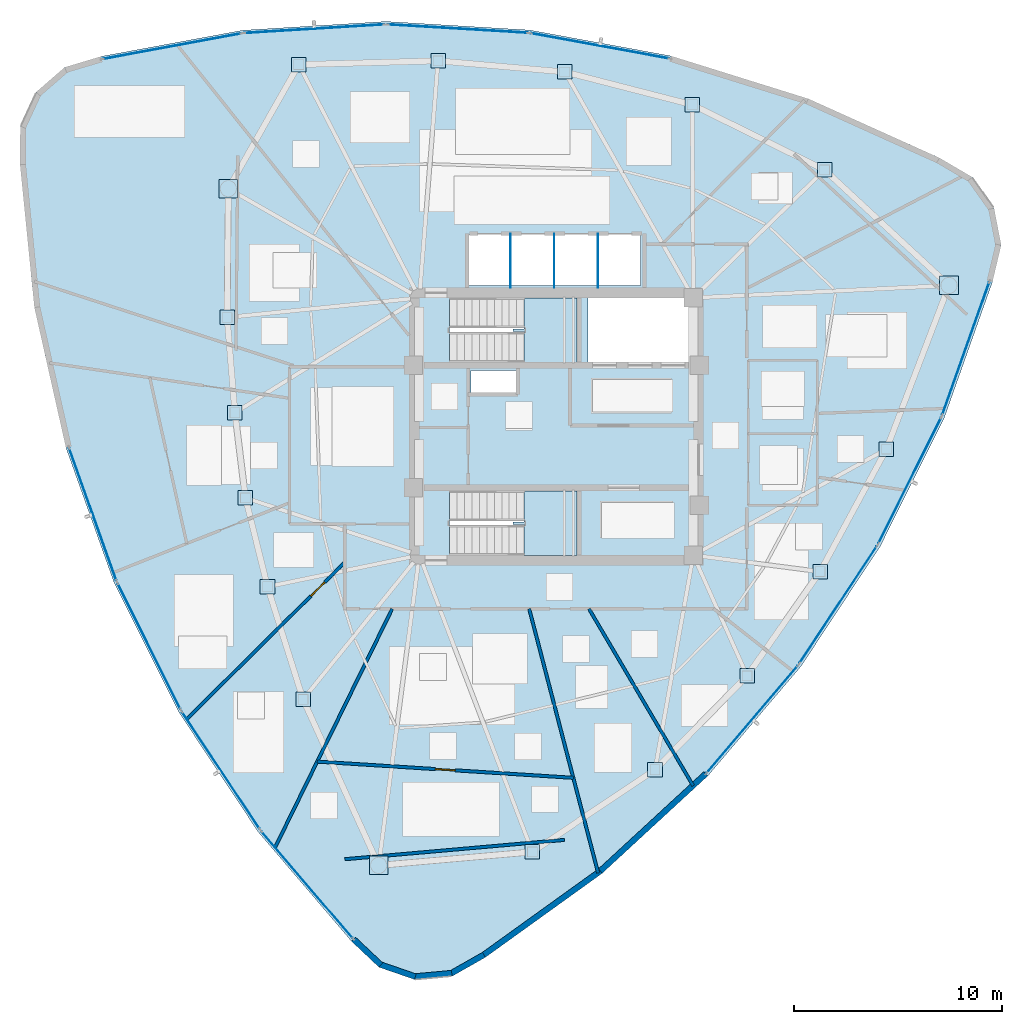
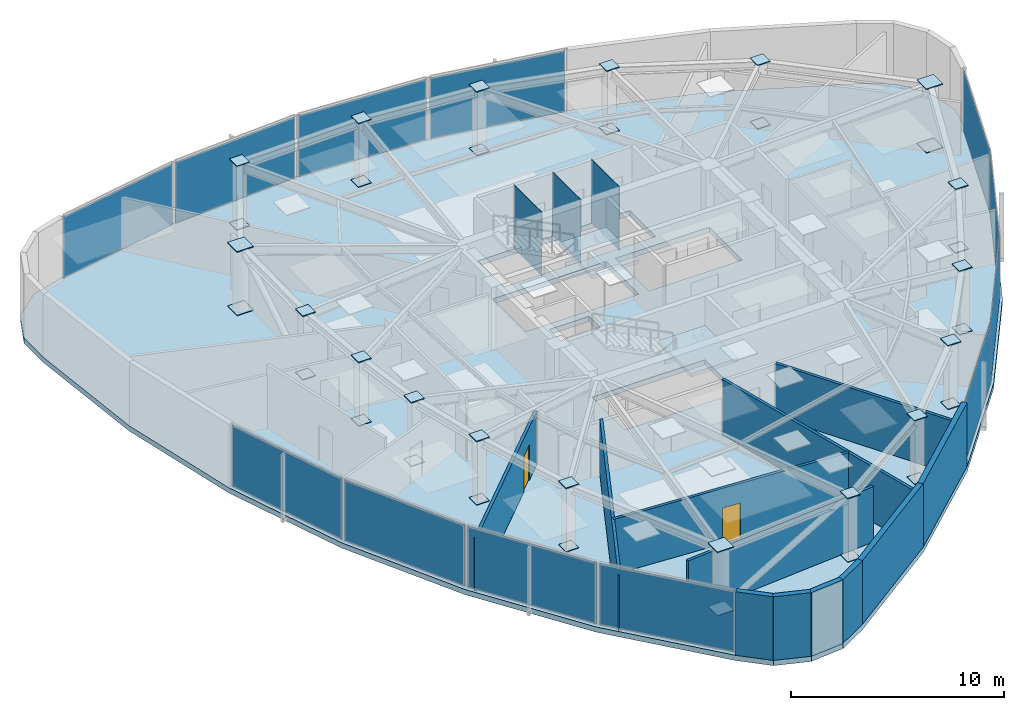
# One storey, part 7 of 13: 51 plates, 12 walls, 3 slabs, 2 doors, 2 openings, 14 elements without a shape of their own.
"""IFC4 building model written with IfcOpenShell, lengths in metres."""

from ifc_helpers import new_model, si_unit, direction, frame, frame_2d, origin, origin_2d, place, context, subcontext, project, spatial, polyline, rectangle, outline, extrude, source, transform, mapped, material, layer, layer_set, type_object, type_shapes, element, fill, aggregate, save


model = new_model("IFC4")

# Units and contexts
model_context = context("Model", 3, precision=1e-05, world=origin(), true_north=direction((0.0, 1.0)))
body_context = subcontext(model_context, "Body", "Model", "MODEL_VIEW")
ifc_project = project(units=[si_unit("LENGTHUNIT", "METRE"), si_unit("AREAUNIT", "SQUARE_METRE"), si_unit("VOLUMEUNIT", "CUBIC_METRE"), si_unit("PLANEANGLEUNIT", "RADIAN"), si_unit("MASSUNIT", "GRAM", prefix="KILO")], contexts=[model_context])

# Site, building, storey
site_placement = place(None, origin())
site = spatial("IfcSite", under=ifc_project, at=site_placement, CompositionType="ELEMENT")
building_placement = place(site_placement, origin())
building = spatial("IfcBuilding", under=site, at=building_placement, Name="Tavelor Broadcast Tower", CompositionType="ELEMENT")
storey_placement = place(building_placement, frame((0.0, 0.0, 265.60009765625)))
storey = spatial("IfcBuildingStorey", under=building, at=storey_placement, Name="L63", CompositionType="ELEMENT", Elevation=265.60009765625)

# Stair, slab
ifc_material_1 = material(Name="Concrete C40/50", Category="concrete")
stair_type = type_object("IfcStairType", Name="Reinforced Concrete Protected Dogleg Stair 1450 mm", PredefinedType="HALF_TURN_STAIR", material=ifc_material_1)
stair_1_placement = place(storey_placement, origin())
stair_1 = element("IfcStair", 1, at=stair_1_placement, inside=storey, type_object=stair_type, Name="L63 Protected Core Exit Stair ST1", PredefinedType="HALF_TURN_STAIR")
ifc_layer_1 = layer(ifc_material_1, 0.199951171875)
ifc_layer_set_1 = layer_set([ifc_layer_1], Name="Concrete C40/50")
slab_type_1 = type_object("IfcSlabType", Name="Reinforced Concrete Stair Half-Landing Slab 200 mm", PredefinedType="LANDING", material=ifc_layer_set_1)
slab_1_placement = place(storey_placement, frame((0.0, 0.0, 1.77490234375)))
slab_1 = element("IfcSlab", 2, at=slab_1_placement, type_object=slab_type_1, Name="ST1 landing 1", PredefinedType="LANDING", context=body_context, shape_type="SweptSolid", body=[
    extrude(outline(polyline([(48.445068359375, 49.590087890625), (48.445068359375, 48.094970703125), (51.0048828125, 48.094970703125), (51.0048828125, 51.205078125), (48.445068359375, 51.205078125), (48.445068359375, 49.7099609375), (47.905029296875, 49.7099609375), (47.905029296875, 49.590087890625), (48.445068359375, 49.590087890625)])), origin(), (0.0, 0.0, 1.0), 0.199951171875),
])
aggregate(stair_1, [slab_1])

stair_2_placement = place(storey_placement, origin())
stair_2 = element("IfcStair", 3, at=stair_2_placement, inside=storey, type_object=stair_type, Name="L63 Protected Core Exit Stair ST2", PredefinedType="HALF_TURN_STAIR")
slab_2_placement = place(storey_placement, frame((0.0, 0.0, 1.77490234375)))
slab_2 = element("IfcSlab", 4, at=slab_2_placement, type_object=slab_type_1, Name="ST2 landing 1", PredefinedType="LANDING", context=body_context, shape_type="SweptSolid", body=[
    extrude(outline(polyline([(48.445068359375, 40.2900390625), (48.445068359375, 38.794921875), (51.0048828125, 38.794921875), (51.0048828125, 41.905029296875), (48.445068359375, 41.905029296875), (48.445068359375, 40.409912109375), (47.905029296875, 40.409912109375), (47.905029296875, 40.2900390625), (48.445068359375, 40.2900390625)])), origin(), (0.0, 0.0, 1.0), 0.199951171875),
])
aggregate(stair_2, [slab_2])

# Slab
ifc_layer_2 = layer(ifc_material_1, 0.300048828125)
ifc_layer_set_2 = layer_set([ifc_layer_2], Name="Concrete C40/50")
slab_type_2 = type_object("IfcSlabType", Name="Tower Composite Floor Slab 300 mm", PredefinedType="FLOOR", material=ifc_layer_set_2)
slab_3_placement = place(storey_placement, frame((0.0, 0.0, -0.300048828125)))
element("IfcSlab", 5, at=slab_3_placement, inside=storey, type_object=slab_type_2, Name="L63 Structural Floor Slab", PredefinedType="FLOOR", context=body_context, shape_type="SweptSolid", body=[
    extrude(outline(polyline([(28.0556640625, 62.831787109375), (26.310791015625, 62.31005859375), (24.93505859375, 61.1162109375), (24.172607421875, 59.46240234375), (24.158203125, 57.64111328125), (24.849609375, 50.7431640625), (26.37060546875, 43.9794921875), (28.698974609375, 37.449951171875), (31.80029296875, 31.25), (35.62939453125, 25.470703125), (40.12939453125, 20.197509765625), (41.453857421875, 18.947265625), (43.17529296875, 18.352783203125), (44.989013671875, 18.519287109375), (46.573486328125, 19.41748046875), (52.201416015625, 23.46533203125), (57.29833984375, 28.164306640625), (61.7890625, 33.445556640625), (65.60791015625, 39.2314453125), (68.6982421875, 45.43701171875), (71.014892578125, 51.970703125), (71.435546875, 53.742919921875), (71.089599609375, 55.531005859375), (70.038330078125, 57.018310546875), (68.46826171875, 57.94140625), (62.14892578125, 60.79150390625), (55.531005859375, 62.856201171875), (48.7119140625, 64.1044921875), (41.791748046875, 64.518798828125), (34.87255859375, 64.09228515625), (28.0556640625, 62.831787109375)]), holes=[polyline([(50.99609375, 41.89599609375), (50.99609375, 38.803955078125), (44.85400390625, 38.803955078125), (44.85400390625, 41.89599609375), (50.99609375, 41.89599609375)]), polyline([(48.050048828125, 47.699951171875), (48.050048828125, 46.64990234375), (45.89990234375, 46.64990234375), (45.89990234375, 47.699951171875), (48.050048828125, 47.699951171875)]), polyline([(50.99609375, 51.196044921875), (50.99609375, 48.10400390625), (44.85400390625, 48.10400390625), (44.85400390625, 51.196044921875), (50.99609375, 51.196044921875)]), polyline([(56.60009765625, 48.10009765625), (51.52001953125, 48.10009765625), (51.52001953125, 51.199951171875), (56.60009765625, 51.199951171875), (56.60009765625, 48.10009765625)]), polyline([(54.050048828125, 51.800048828125), (45.800048828125, 51.800048828125), (45.800048828125, 54.25), (54.050048828125, 54.25), (54.050048828125, 51.800048828125)])]), origin(), (0.0, 0.0, 1.0), 0.300048828125),
])

# Plates
ifc_material_2 = material(Name="Steel S460", Category="steel")
ifc_layer_3 = layer(ifc_material_2, 0.050048828125)
ifc_layer_set_3 = layer_set([ifc_layer_3], Name="Steel S460")
plate_type_1 = type_object("IfcPlateType", Name="Tube Hollow-End Cap Plate KN05 700x700x50", PredefinedType="USERDEFINED", material=ifc_layer_set_3)
shared_shape_1 = source(origin(), body_context, "Body", "SweptSolid", [
    extrude(rectangle(XDim=0.699951171875, YDim=0.699951171875, at=origin_2d()), origin(), (0.0, 0.0, 1.0), 0.054931640625),
])
for number, where, z_axis, x_axis, name in (
    (6, (34.13720703125, 50.255859375, -0.02734375), (0.0, 0.0, 1.0), (1.0, 0.0, 0.0), "L63 Hollow End Cap Plate KN05 #1851"),
    (7, (34.13720703125, 50.255859375, 3.62255859375), (0.0, 0.0, 1.0), (1.0, 0.0, 0.0), "L63 Hollow End Cap Plate KN05 #1852"),
    (8, (34.513671875, 45.66455078125, -0.02734375), (0.0, 0.0, 1.0), (1.0, 0.0, 0.0), "L63 Hollow End Cap Plate KN05 #1853"),
    (9, (34.513671875, 45.66455078125, 3.62255859375), (0.0, 0.0, 1.0), (1.0, 0.0, 0.0), "L63 Hollow End Cap Plate KN05 #1854"),
    (10, (35.018798828125, 41.56396484375, -0.02734375), (0.0, 0.0, 1.0), (1.0, 0.0, 0.0), "L63 Hollow End Cap Plate KN05 #1855"),
    (11, (35.018798828125, 41.56396484375, 3.62255859375), (0.0, 0.0, 1.0), (1.0, 0.0, 0.0), "L63 Hollow End Cap Plate KN05 #1856"),
    (12, (36.08349609375, 37.2822265625, -0.02734375), (0.0, 0.0, 1.0), (1.0, 0.0, 0.0), "L63 Hollow End Cap Plate KN05 #1857"),
    (13, (36.08349609375, 37.2822265625, 3.62255859375), (0.0, 0.0, 1.0), (1.0, 0.0, 0.0), "L63 Hollow End Cap Plate KN05 #1858"),
    (14, (37.797119140625, 31.853271484375, -0.02734375), (0.0, 0.0, 1.0), (1.0, 0.0, 0.0), "L63 Hollow End Cap Plate KN05 #1859"),
    (15, (37.797119140625, 31.853271484375, 3.62255859375), (0.0, 0.0, 1.0), (1.0, 0.0, 0.0), "L63 Hollow End Cap Plate KN05 #1860"),
    (16, (48.843994140625, 24.5048828125, -0.02734375), (0.0, 0.0, 1.0), (1.0, 0.0, 0.0), "L63 Hollow End Cap Plate KN05 #1863"),
    (17, (48.843994140625, 24.5048828125, 3.62255859375), (0.0, 0.0, 1.0), (1.0, 0.0, 0.0), "L63 Hollow End Cap Plate KN05 #1864"),
    (18, (54.754150390625, 28.461669921875, -0.02734375), (0.0, 0.0, 1.0), (1.0, 0.0, 0.0), "L63 Hollow End Cap Plate KN05 #1865"),
    (19, (54.754150390625, 28.461669921875, 3.62255859375), (0.0, 0.0, 1.0), (1.0, 0.0, 0.0), "L63 Hollow End Cap Plate KN05 #1866"),
    (20, (59.1923828125, 32.987060546875, -0.02734375), (0.0, 0.0, 1.0), (1.0, 0.0, 0.0), "L63 Hollow End Cap Plate KN05 #1867"),
    (21, (59.1923828125, 32.987060546875, 3.62255859375), (0.0, 0.0, 1.0), (1.0, 0.0, 0.0), "L63 Hollow End Cap Plate KN05 #1868"),
    (22, (62.7109375, 38.009033203125, -0.02734375), (0.0, 0.0, 1.0), (1.0, 0.0, 0.0), "L63 Hollow End Cap Plate KN05 #1869"),
    (23, (62.7109375, 38.009033203125, 3.62255859375), (0.0, 0.0, 1.0), (1.0, 0.0, 0.0), "L63 Hollow End Cap Plate KN05 #1870"),
    (24, (65.9072265625, 43.909423828125, -0.02734375), (0.0, 0.0, 1.0), (1.0, 0.0, 0.0), "L63 Hollow End Cap Plate KN05 #1871"),
    (25, (65.9072265625, 43.909423828125, 3.62255859375), (0.0, 0.0, 1.0), (1.0, 0.0, 0.0), "L63 Hollow End Cap Plate KN05 #1872"),
    (26, (62.92724609375, 57.364013671875, -0.02734375), (0.0, 0.0, 1.0), (1.0, 0.0, 0.0), "L63 Hollow End Cap Plate KN05 #1875"),
    (27, (62.92724609375, 57.364013671875, 3.62255859375), (0.0, 0.0, 1.0), (1.0, 0.0, 0.0), "L63 Hollow End Cap Plate KN05 #1876"),
    (28, (56.545654296875, 60.504150390625, -0.02734375), (0.0, 0.0, 1.0), (1.0, 0.0, 0.0), "L63 Hollow End Cap Plate KN05 #1877"),
    (29, (56.545654296875, 60.504150390625, 3.62255859375), (0.0, 0.0, 1.0), (1.0, 0.0, 0.0), "L63 Hollow End Cap Plate KN05 #1878"),
    (30, (50.4072265625, 62.0849609375, -0.02734375), (0.0, 0.0, 1.0), (1.0, 0.0, 0.0), "L63 Hollow End Cap Plate KN05 #1879"),
    (31, (50.4072265625, 62.0849609375, 3.62255859375), (0.0, 0.0, 1.0), (1.0, 0.0, 0.0), "L63 Hollow End Cap Plate KN05 #1880"),
    (32, (44.298828125, 62.621337890625, -0.02734375), (0.0, 0.0, 1.0), (1.0, 0.0, 0.0), "L63 Hollow End Cap Plate KN05 #1881"),
    (33, (44.298828125, 62.621337890625, 3.62255859375), (0.0, 0.0, 1.0), (1.0, 0.0, 0.0), "L63 Hollow End Cap Plate KN05 #1882"),
    (34, (37.5908203125, 62.439208984375, -0.02734375), (0.0, 0.0, 1.0), (1.0, 0.0, 0.0), "L63 Hollow End Cap Plate KN05 #1883"),
    (35, (37.5908203125, 62.439208984375, 3.62255859375), (0.0, 0.0, 1.0), (1.0, 0.0, 0.0), "L63 Hollow End Cap Plate KN05 #1884"),
):
    element("IfcPlate", number, at=place(storey_placement, frame(where, z_axis=z_axis, x_axis=x_axis)), inside=storey, type_object=plate_type_1, Name=name, ObjectType="CAP PLATE", PredefinedType="USERDEFINED", context=body_context, shape_type="MappedRepresentation", body=[
        mapped(shared_shape_1, transform((0.0, 0.0, 0.0), scale=1.0)),
    ])
shared_shape_2 = source(origin(), body_context, "Body", "SweptSolid", [
    extrude(rectangle(XDim=0.89306640625, YDim=0.89306640625, at=origin_2d()), origin(), (0.0, 0.0, 1.0), 0.054931640625),
])
type_shapes(plate_type_1, [shared_shape_1, shared_shape_2])
for number, where, z_axis, x_axis, name in (
    (36, (34.1962890625, 56.4599609375, -0.02734375), (0.0, 0.0, 1.0), (1.0, 0.0, 0.0), "L63 Hollow End Cap Plate KN05 #1849"),
    (37, (34.1962890625, 56.4599609375, 3.62255859375), (0.0, 0.0, 1.0), (1.0, 0.0, 0.0), "L63 Hollow End Cap Plate KN05 #1850"),
    (38, (41.440185546875, 23.853759765625, -0.02734375), (0.0, 0.0, 1.0), (1.0, 0.0, 0.0), "L63 Hollow End Cap Plate KN05 #1861"),
    (39, (41.440185546875, 23.853759765625, 3.62255859375), (0.0, 0.0, 1.0), (1.0, 0.0, 0.0), "L63 Hollow End Cap Plate KN05 #1862"),
    (40, (68.919677734375, 51.799072265625, -0.02734375), (0.0, 0.0, 1.0), (1.0, 0.0, 0.0), "L63 Hollow End Cap Plate KN05 #1873"),
    (41, (68.919677734375, 51.799072265625, 3.62255859375), (0.0, 0.0, 1.0), (1.0, 0.0, 0.0), "L63 Hollow End Cap Plate KN05 #1874"),
):
    element("IfcPlate", number, at=place(storey_placement, frame(where, z_axis=z_axis, x_axis=x_axis)), inside=storey, type_object=plate_type_1, Name=name, ObjectType="CAP PLATE", PredefinedType="USERDEFINED", context=body_context, shape_type="MappedRepresentation", body=[
        mapped(shared_shape_2, transform((0.0, 0.0, 0.0), scale=1.0)),
    ])
ifc_material_3 = material(Name="Steel S355", Category="steel")
ifc_layer_4 = layer(ifc_material_3, 0.011962890625)
ifc_layer_set_4 = layer_set([ifc_layer_4], Name="Steel S355")
plate_type_2 = type_object("IfcPlateType", Name="Hoistway Steel Separator Screen 12 mm", PredefinedType="SHEET", material=ifc_layer_set_4)
shared_shape_3 = source(origin(), body_context, "Body", "SweptSolid", [
    extrude(rectangle(XDim=0.02001953125, YDim=2.6201171875, at=origin_2d()), origin(), (0.0, 0.0, 1.0), 3.64990234375),
])
type_shapes(plate_type_2, [shared_shape_3])
for number, where, z_axis, x_axis, name in (
    (42, (47.800048828125, 52.989990234375, 0.0), (0.0, 0.0, 1.0), (1.0, 0.0, 0.0), "L63 High-Rise Hoistway Separator Screen 1"),
    (43, (49.89990234375, 52.989990234375, 0.0), (0.0, 0.0, 1.0), (1.0, 0.0, 0.0), "L63 High-Rise Hoistway Separator Screen 2"),
    (44, (52.0, 52.989990234375, 0.0), (0.0, 0.0, 1.0), (1.0, 0.0, 0.0), "L63 High-Rise Hoistway Separator Screen 3"),
):
    element("IfcPlate", number, at=place(storey_placement, frame(where, z_axis=z_axis, x_axis=x_axis)), inside=storey, type_object=plate_type_2, Name=name, PredefinedType="SHEET", context=body_context, shape_type="MappedRepresentation", body=[
        mapped(shared_shape_3, transform((0.0, 0.0, 0.0), scale=1.0)),
    ])

# Curtain wall, plate
ifc_material_4 = material(Name="Architectural Anodized Aluminium", Category="aluminium")
ifc_layer_5 = layer(ifc_material_4, 0.199951171875)
ifc_layer_set_5 = layer_set([ifc_layer_5], Name="Architectural Anodized Aluminium")
curtain_wall_type = type_object("IfcCurtainWallType", Name="Tower High-Zone Triple-Glazed Curtain Wall CW04", PredefinedType="NOTDEFINED", material=ifc_layer_set_5)
curtain_wall_1_placement = place(storey_placement, origin())
curtain_wall_1 = element("IfcCurtainWall", 45, at=curtain_wall_1_placement, inside=storey, type_object=curtain_wall_type, Name="L63 Curtain Wall CW04 Run 685", PredefinedType="NOTDEFINED")
ifc_material_5 = material(Name="High-Altitude Triple Glazing 36 mm", Category="glass")
ifc_layer_6 = layer(ifc_material_5, 0.035888671875)
ifc_layer_set_6 = layer_set([ifc_layer_6], Name="High-Altitude Triple Glazing 36 mm")
plate_type_3 = type_object("IfcPlateType", Name="CW04 Insulated Vision Glazing Panel 36 mm", PredefinedType="CURTAIN_PANEL", material=ifc_layer_set_6)
shared_shape_4 = source(origin(), body_context, "Body", "SweptSolid", [
    extrude(rectangle(XDim=6.76025390625, YDim=0.035888671875, at=origin_2d()), origin(), (0.0, 0.0, 1.0), 3.510009765625),
])
plate_1_placement = place(storey_placement, frame((27.664306640625, 40.768798828125, 0.06982421875), z_axis=(0.0, 0.0, 1.0), x_axis=(0.335867233252, -0.941909338327, 0.0)))
plate_1 = element("IfcPlate", 46, at=plate_1_placement, type_object=plate_type_3, Name="CW04 panel 1.1", PredefinedType="CURTAIN_PANEL", context=body_context, shape_type="MappedRepresentation", body=[
    mapped(shared_shape_4, transform((0.0, 0.0, 0.0), scale=1.0)),
])
aggregate(curtain_wall_1, [plate_1])

curtain_wall_2_placement = place(storey_placement, origin())
curtain_wall_2 = element("IfcCurtainWall", 47, at=curtain_wall_2_placement, inside=storey, type_object=curtain_wall_type, Name="L63 Curtain Wall CW04 Run 686", PredefinedType="NOTDEFINED")
shared_shape_5 = source(origin(), body_context, "Body", "SweptSolid", [
    extrude(rectangle(XDim=6.745361328125, YDim=0.035888671875, at=origin_2d()), origin(), (0.0, 0.0, 1.0), 3.510009765625),
])
plate_2_placement = place(storey_placement, frame((30.375, 34.41259765625, 0.06982421875), z_axis=(0.0, 0.0, 1.0), x_axis=(0.447382060231, -0.894342938801, 0.0)))
plate_2 = element("IfcPlate", 48, at=plate_2_placement, type_object=plate_type_3, Name="CW04 panel 1.1", PredefinedType="CURTAIN_PANEL", context=body_context, shape_type="MappedRepresentation", body=[
    mapped(shared_shape_5, transform((0.0, 0.0, 0.0), scale=1.0)),
])
aggregate(curtain_wall_2, [plate_2])

curtain_wall_3_placement = place(storey_placement, origin())
curtain_wall_3 = element("IfcCurtainWall", 49, at=curtain_wall_3_placement, inside=storey, type_object=curtain_wall_type, Name="L63 Curtain Wall CW04 Run 687", PredefinedType="NOTDEFINED")
plate_3_placement = place(storey_placement, frame((33.83154296875, 28.4375, 0.06982421875), z_axis=(0.0, 0.0, 1.0), x_axis=(0.552308259809, -0.833639961942, 0.0)))
plate_3 = element("IfcPlate", 50, at=plate_3_placement, type_object=plate_type_3, Name="CW04 panel 1.1", PredefinedType="CURTAIN_PANEL", context=body_context, shape_type="MappedRepresentation", body=[
    mapped(shared_shape_5, transform((0.0, 0.0, 0.0), scale=1.0)),
])
aggregate(curtain_wall_3, [plate_3])

curtain_wall_4_placement = place(storey_placement, origin())
curtain_wall_4 = element("IfcCurtainWall", 51, at=curtain_wall_4_placement, inside=storey, type_object=curtain_wall_type, Name="L63 Curtain Wall CW04 Run 690", PredefinedType="NOTDEFINED")
plate_4_placement = place(storey_placement, frame((63.58154296875, 36.41552734375, 0.06982421875), z_axis=(0.0, 0.0, 1.0), x_axis=(0.550846659659, 0.834606468668, 0.0)))
plate_4 = element("IfcPlate", 52, at=plate_4_placement, type_object=plate_type_3, Name="CW04 panel 1.1", PredefinedType="CURTAIN_PANEL", context=body_context, shape_type="MappedRepresentation", body=[
    mapped(shared_shape_5, transform((0.0, 0.0, 0.0), scale=1.0)),
])
aggregate(curtain_wall_4, [plate_4])

curtain_wall_5_placement = place(storey_placement, origin())
curtain_wall_5 = element("IfcCurtainWall", 53, at=curtain_wall_5_placement, inside=storey, type_object=curtain_wall_type, Name="L63 Curtain Wall CW04 Run 695", PredefinedType="NOTDEFINED")
plate_5_placement = place(storey_placement, frame((38.3408203125, 64.165771484375, 0.06982421875), z_axis=(0.0, 0.0, 1.0), x_axis=(-0.998106674778, -0.061506631863, 0.0)))
plate_5 = element("IfcPlate", 54, at=plate_5_placement, type_object=plate_type_3, Name="CW04 panel 1.1", PredefinedType="CURTAIN_PANEL", context=body_context, shape_type="MappedRepresentation", body=[
    mapped(shared_shape_5, transform((0.0, 0.0, 0.0), scale=1.0)),
])
aggregate(curtain_wall_5, [plate_5])

curtain_wall_6_placement = place(storey_placement, origin())
curtain_wall_6 = element("IfcCurtainWall", 55, at=curtain_wall_6_placement, inside=storey, type_object=curtain_wall_type, Name="L63 Curtain Wall CW04 Run 688", PredefinedType="NOTDEFINED")
shared_shape_6 = source(origin(), body_context, "Body", "SweptSolid", [
    extrude(rectangle(XDim=6.761474609375, YDim=0.035888671875, at=origin_2d()), origin(), (0.0, 0.0, 1.0), 3.510009765625),
])
plate_6_placement = place(storey_placement, frame((37.990966796875, 22.9189453125, 0.06982421875), z_axis=(0.0, 0.0, 1.0), x_axis=(0.649132350407, -0.7606754838, 0.0)))
plate_6 = element("IfcPlate", 56, at=plate_6_placement, type_object=plate_type_3, Name="CW04 panel 1.1", PredefinedType="CURTAIN_PANEL", context=body_context, shape_type="MappedRepresentation", body=[
    mapped(shared_shape_6, transform((0.0, 0.0, 0.0), scale=1.0)),
])
aggregate(curtain_wall_6, [plate_6])

curtain_wall_7_placement = place(storey_placement, origin())
curtain_wall_7 = element("IfcCurtainWall", 57, at=curtain_wall_7_placement, inside=storey, type_object=curtain_wall_type, Name="L63 Curtain Wall CW04 Run 692", PredefinedType="NOTDEFINED")
plate_7_placement = place(storey_placement, frame((69.727294921875, 48.758056640625, 0.06982421875), z_axis=(0.0, 0.0, 1.0), x_axis=(0.33418856795, 0.942506233959, 0.0)))
plate_7 = element("IfcPlate", 58, at=plate_7_placement, type_object=plate_type_3, Name="CW04 panel 1.1", PredefinedType="CURTAIN_PANEL", context=body_context, shape_type="MappedRepresentation", body=[
    mapped(shared_shape_6, transform((0.0, 0.0, 0.0), scale=1.0)),
])
aggregate(curtain_wall_7, [plate_7])

curtain_wall_8_placement = place(storey_placement, origin())
curtain_wall_8 = element("IfcCurtainWall", 59, at=curtain_wall_8_placement, inside=storey, type_object=curtain_wall_type, Name="L63 Curtain Wall CW04 Run 689", PredefinedType="NOTDEFINED")
shared_shape_7 = source(origin(), body_context, "Body", "SweptSolid", [
    extrude(rectangle(XDim=6.760498046875, YDim=0.035888671875, at=origin_2d()), origin(), (0.0, 0.0, 1.0), 3.510009765625),
])
plate_8_placement = place(storey_placement, frame((59.43212890625, 30.889892578125, 0.06982421875), z_axis=(0.0, 0.0, 1.0), x_axis=(0.647785966486, 0.76182238194, 0.0)))
plate_8 = element("IfcPlate", 60, at=plate_8_placement, type_object=plate_type_3, Name="CW04 panel 1.1", PredefinedType="CURTAIN_PANEL", context=body_context, shape_type="MappedRepresentation", body=[
    mapped(shared_shape_7, transform((0.0, 0.0, 0.0), scale=1.0)),
])
aggregate(curtain_wall_8, [plate_8])

curtain_wall_9_placement = place(storey_placement, origin())
curtain_wall_9 = element("IfcCurtainWall", 61, at=curtain_wall_9_placement, inside=storey, type_object=curtain_wall_type, Name="L63 Curtain Wall CW04 Run 693", PredefinedType="NOTDEFINED")
plate_9_placement = place(storey_placement, frame((52.103515625, 63.34130859375, 0.06982421875), z_axis=(0.0, 0.0, 1.0), x_axis=(-0.98364748769, 0.180104469576, 0.0)))
plate_9 = element("IfcPlate", 62, at=plate_9_placement, type_object=plate_type_3, Name="CW04 panel 1.1", PredefinedType="CURTAIN_PANEL", context=body_context, shape_type="MappedRepresentation", body=[
    mapped(shared_shape_7, transform((0.0, 0.0, 0.0), scale=1.0)),
])
aggregate(curtain_wall_9, [plate_9])

curtain_wall_10_placement = place(storey_placement, origin())
curtain_wall_10 = element("IfcCurtainWall", 63, at=curtain_wall_10_placement, inside=storey, type_object=curtain_wall_type, Name="L63 Curtain Wall CW04 Run 691", PredefinedType="NOTDEFINED")
shared_shape_8 = source(origin(), body_context, "Body", "SweptSolid", [
    extrude(rectangle(XDim=6.74560546875, YDim=0.035888671875, at=origin_2d()), origin(), (0.0, 0.0, 1.0), 3.510009765625),
])
plate_10_placement = place(storey_placement, frame((67.027587890625, 42.396484375, 0.06982421875), z_axis=(0.0, 0.0, 1.0), x_axis=(0.445778118134, 0.895143490952, 0.0)))
plate_10 = element("IfcPlate", 64, at=plate_10_placement, type_object=plate_type_3, Name="CW04 panel 1.1", PredefinedType="CURTAIN_PANEL", context=body_context, shape_type="MappedRepresentation", body=[
    mapped(shared_shape_8, transform((0.0, 0.0, 0.0), scale=1.0)),
])
aggregate(curtain_wall_10, [plate_10])

curtain_wall_11_placement = place(storey_placement, origin())
curtain_wall_11 = element("IfcCurtainWall", 65, at=curtain_wall_11_placement, inside=storey, type_object=curtain_wall_type, Name="L63 Curtain Wall CW04 Run 694", PredefinedType="NOTDEFINED")
plate_11_placement = place(storey_placement, frame((45.243408203125, 64.171875, 0.06982421875), z_axis=(0.0, 0.0, 1.0), x_axis=(-0.998215180364, 0.059719793125, 0.0)))
plate_11 = element("IfcPlate", 66, at=plate_11_placement, type_object=plate_type_3, Name="CW04 panel 1.1", PredefinedType="CURTAIN_PANEL", context=body_context, shape_type="MappedRepresentation", body=[
    mapped(shared_shape_8, transform((0.0, 0.0, 0.0), scale=1.0)),
])
aggregate(curtain_wall_11, [plate_11])

curtain_wall_12_placement = place(storey_placement, origin())
curtain_wall_12 = element("IfcCurtainWall", 67, at=curtain_wall_12_placement, inside=storey, type_object=curtain_wall_type, Name="L63 Curtain Wall CW04 Run 696", PredefinedType="NOTDEFINED")
shared_shape_9 = source(origin(), body_context, "Body", "SweptSolid", [
    extrude(rectangle(XDim=6.76123046875, YDim=0.035888671875, at=origin_2d()), origin(), (0.0, 0.0, 1.0), 3.510009765625),
])
type_shapes(plate_type_3, [shared_shape_4, shared_shape_5, shared_shape_6, shared_shape_7, shared_shape_8, shared_shape_9])
plate_12_placement = place(storey_placement, frame((31.481689453125, 63.322998046875, 0.06982421875), z_axis=(0.0, 0.0, 1.0), x_axis=(-0.983329246641, -0.181833970152, 0.0)))
plate_12 = element("IfcPlate", 68, at=plate_12_placement, type_object=plate_type_3, Name="CW04 panel 1.1", PredefinedType="CURTAIN_PANEL", context=body_context, shape_type="MappedRepresentation", body=[
    mapped(shared_shape_9, transform((0.0, 0.0, 0.0), scale=1.0)),
])
aggregate(curtain_wall_12, [plate_12])

# Walls
ifc_material_6 = material(Name="Precast Concrete C40/50", Category="concrete")
ifc_layer_7 = layer(ifc_material_6, 0.280029296875)
ifc_layer_set_7 = layer_set([ifc_layer_7], Name="Precast Concrete C40/50")
wall_type_1 = type_object("IfcWallType", Name="Insulated Precast Terracotta Facade Wall 280 mm", PredefinedType="STANDARD", material=ifc_layer_set_7)
wall_1_placement = place(storey_placement, frame((40.22802734375, 20.296875, 0.0), z_axis=(0.0, 0.0, 1.0), x_axis=(0.727129573075, -0.686500243233, 0.0)))
element("IfcWall", 69, at=wall_1_placement, inside=storey, type_object=wall_type_1, Name="L63 Rounded Corner Structural Cladding Pier 11", PredefinedType="STANDARD", context=body_context, shape_type="SweptSolid", body=[
    extrude(rectangle(XDim=1.802734375, YDim=0.280029296875, at=frame_2d((0.9013671875, 0.0))), origin(), (0.0, 0.0, 1.0), 3.64990234375),
])
wall_2_placement = place(storey_placement, frame((41.513916015625, 19.07470703125, 0.0), z_axis=(0.0, 0.0, 1.0), x_axis=(0.9452062674, -0.326473754027, 0.0)))
element("IfcWall", 70, at=wall_2_placement, inside=storey, type_object=wall_type_1, Name="L63 Rounded Corner Structural Cladding Pier 12", PredefinedType="STANDARD", context=body_context, shape_type="SweptSolid", body=[
    extrude(rectangle(XDim=1.791015625, YDim=0.280029296875, at=frame_2d((0.8955078125, 0.0))), origin(), (0.0, 0.0, 1.0), 3.64990234375),
])
wall_3_placement = place(storey_placement, frame((43.177490234375, 18.493408203125, 0.0), z_axis=(0.0, 0.0, 1.0), x_axis=(0.995796566432, 0.091592566745, 0.0)))
element("IfcWall", 71, at=wall_3_placement, inside=storey, type_object=wall_type_1, Name="L63 Rounded Corner Structural Cladding Pier 13", PredefinedType="STANDARD", context=body_context, shape_type="SweptSolid", body=[
    extrude(rectangle(XDim=1.791259765625, YDim=0.280029296875, at=frame_2d((0.8955078125, 0.0))), origin(), (0.0, 0.0, 1.0), 3.64990234375),
])
wall_4_placement = place(storey_placement, frame((44.93310546875, 18.648681640625, 0.0), z_axis=(0.0, 0.0, 1.0), x_axis=(0.869895125609, 0.493236728603, 0.0)))
element("IfcWall", 72, at=wall_4_placement, inside=storey, type_object=wall_type_1, Name="L63 Rounded Corner Structural Cladding Pier 14", PredefinedType="STANDARD", context=body_context, shape_type="SweptSolid", body=[
    extrude(rectangle(XDim=1.8134765625, YDim=0.280029296875, at=frame_2d((0.90673828125, 0.0))), origin(), (0.0, 0.0, 1.0), 3.64990234375),
])
wall_5_placement = place(storey_placement, frame((46.485595703125, 19.52685546875, 0.0), z_axis=(0.0, 0.0, 1.0), x_axis=(0.811838879728, 0.583881523396, 0.0)))
element("IfcWall", 73, at=wall_5_placement, inside=storey, type_object=wall_type_1, Name="L63 Rounded Corner Structural Cladding Pier 15", PredefinedType="STANDARD", context=body_context, shape_type="SweptSolid", body=[
    extrude(rectangle(XDim=6.946533203125, YDim=0.280029296875, at=frame_2d((3.47314453125, 0.0))), origin(), (0.0, 0.0, 1.0), 3.64990234375),
])
wall_6_placement = place(storey_placement, frame((52.101806640625, 23.563720703125, 0.0), z_axis=(0.0, 0.0, 1.0), x_axis=(0.735217687078, 0.677831064948, 0.0)))
element("IfcWall", 74, at=wall_6_placement, inside=storey, type_object=wall_type_1, Name="L63 Rounded Corner Structural Cladding Pier 16", PredefinedType="STANDARD", context=body_context, shape_type="SweptSolid", body=[
    extrude(rectangle(XDim=6.9345703125, YDim=0.280029296875, at=frame_2d((3.46728515625, 0.0))), origin(), (0.0, 0.0, 1.0), 3.64990234375),
])
ifc_material_7 = material(Name="Gypsum Acoustic Plasterboard 150 mm", Category="gypsum")
ifc_layer_8 = layer(ifc_material_7, 0.14990234375)
ifc_layer_set_8 = layer_set([ifc_layer_8], Name="Gypsum Acoustic Plasterboard 150 mm")
wall_type_2 = type_object("IfcWallType", Name="Interior Acoustic Partition Wall 150 mm", PredefinedType="PARTITIONING", material=ifc_layer_set_8)
wall_7_placement = place(storey_placement, frame((39.807861328125, 24.15185546875, 0.0), z_axis=(0.0, 0.0, 1.0), x_axis=(0.996153584085, 0.087624408208, 0.0)))
element("IfcWall", 75, at=wall_7_placement, inside=storey, type_object=wall_type_2, Name="L63 Corner Tube Brace Furring Wall 2", PredefinedType="PARTITIONING", context=body_context, shape_type="SweptSolid", body=[
    extrude(rectangle(XDim=10.63232421875, YDim=0.14990234375, at=frame_2d((5.316162109375, 0.0))), origin(), (0.0, 0.0, 1.0), 3.1748046875),
])

# Wall, opening, door
wall_8_placement = place(storey_placement, frame((39.800048828125, 38.450439453125, 0.0), z_axis=(0.0, 0.0, 1.0), x_axis=(-0.709811227193, -0.704391951793, 0.0)))
wall_8 = element("IfcWall", 76, at=wall_8_placement, inside=storey, type_object=wall_type_2, Name="L63 Radial Compartment Wall 05", PredefinedType="PARTITIONING", context=body_context, shape_type="SweptSolid", body=[
    extrude(rectangle(XDim=10.721923828125, YDim=0.14990234375, at=frame_2d((5.36083984375, 0.0))), origin(), (0.0, 0.0, 1.0), 3.074951171875),
])
opening_1_placement = place(wall_8_placement, frame((1.35009765625, 0.0, 0.0)))
opening_1 = element("IfcOpeningElement", 77, at=opening_1_placement, cuts=wall_8, Name="Opening DR18", PredefinedType="OPENING", context=body_context, shape_type="SweptSolid", body=[
    extrude(rectangle(XDim=0.949951171875, YDim=2.050048828125, at=frame_2d((0.47509765625, 1.02490234375))), frame((0.0, 0.0849609375, 0.0), z_axis=(0.0, -1.0, 0.0), x_axis=(1.0, 0.0, 0.0)), (0.0, 0.0, 1.0), 0.169921875),
])
ifc_material_8 = material(Name="Timber Solid Core Hardwood", Category="wood")
door_type_1 = type_object("IfcDoorType", Name="Corridor Rated Compartment Door 950x2050", OperationType="NOTDEFINED", PredefinedType="DOOR", material=ifc_material_8)
door_1_placement = place(opening_1_placement, origin())
door_1 = element("IfcDoor", 78, at=door_1_placement, inside=storey, type_object=door_type_1, Name="L63 Suite Connecting Door 6", OperationType="SINGLE_SWING_RIGHT", OverallHeight=2.050048828125, OverallWidth=0.949951171875, PredefinedType="DOOR", context=body_context, shape_type="SweptSolid", body=[
    extrude(rectangle(XDim=0.949951171875, YDim=2.050048828125, at=frame_2d((0.47509765625, 1.02490234375))), frame((0.0, 0.02490234375, 0.0), z_axis=(0.0, -1.0, 0.0), x_axis=(1.0, 0.0, 0.0)), (0.0, 0.0, 1.0), 0.050048828125),
])
fill(opening_1, door_1)

# Walls
wall_9_placement = place(storey_placement, frame((42.09228515625, 36.219970703125, 0.0), z_axis=(0.0, 0.0, 1.0), x_axis=(-0.440465548738, -0.89776951406, 0.0)))
element("IfcWall", 79, at=wall_9_placement, inside=storey, type_object=wall_type_2, Name="L63 Radial Compartment Wall 06", PredefinedType="PARTITIONING", context=body_context, shape_type="SweptSolid", body=[
    extrude(rectangle(XDim=12.817138671875, YDim=0.14990234375, at=frame_2d((6.40869140625, 0.0))), origin(), (0.0, 0.0, 1.0), 3.1748046875),
])
wall_10_placement = place(storey_placement, frame((48.691650390625, 36.219970703125, 0.0), z_axis=(0.0, 0.0, 1.0), x_axis=(0.252552587475, -0.967583169841, 0.0)))
element("IfcWall", 80, at=wall_10_placement, inside=storey, type_object=wall_type_2, Name="L63 Radial Compartment Wall 07", PredefinedType="PARTITIONING", context=body_context, shape_type="SweptSolid", body=[
    extrude(rectangle(XDim=13.15576171875, YDim=0.14990234375, at=frame_2d((6.577880859375, 0.0))), origin(), (0.0, 0.0, 1.0), 3.1748046875),
])
wall_11_placement = place(storey_placement, frame((51.570556640625, 36.219970703125, 0.0), z_axis=(0.0, 0.0, 1.0), x_axis=(0.507452319083, -0.861679838372, 0.0)))
element("IfcWall", 81, at=wall_11_placement, inside=storey, type_object=wall_type_2, Name="L63 Radial Compartment Wall 08", PredefinedType="PARTITIONING", context=body_context, shape_type="SweptSolid", body=[
    extrude(rectangle(XDim=9.89794921875, YDim=0.14990234375, at=frame_2d((4.948974609375, 0.0))), origin(), (0.0, 0.0, 1.0), 3.074951171875),
])

# Wall, opening, door
wall_12_placement = place(storey_placement, frame((38.47900390625, 28.855712890625, 0.0), z_axis=(0.0, 0.0, 1.0), x_axis=(0.997995384926, -0.063286741629, 0.0)))
wall_12 = element("IfcWall", 82, at=wall_12_placement, inside=storey, type_object=wall_type_2, Name="L63 Suite Chord Partition Wall 02", PredefinedType="PARTITIONING", context=body_context, shape_type="SweptSolid", body=[
    extrude(rectangle(XDim=12.364013671875, YDim=0.14990234375, at=frame_2d((6.18212890625, 0.0))), origin(), (0.0, 0.0, 1.0), 3.1748046875),
])
opening_2_placement = place(wall_12_placement, frame((5.706787109375, 0.0, 0.0)))
opening_2 = element("IfcOpeningElement", 83, at=opening_2_placement, cuts=wall_12, Name="Opening DR23", PredefinedType="OPENING", context=body_context, shape_type="SweptSolid", body=[
    extrude(rectangle(XDim=0.949951171875, YDim=2.050048828125, at=frame_2d((0.47509765625, 1.02490234375))), frame((0.0, 0.0849609375, 0.0), z_axis=(0.0, -1.0, 0.0), x_axis=(1.0, 0.0, 0.0)), (0.0, 0.0, 1.0), 0.169921875),
])
door_type_2 = type_object("IfcDoorType", Name="Editorial Room Acoustic Door 950x2050", OperationType="NOTDEFINED", PredefinedType="DOOR", material=ifc_material_8)
door_2_placement = place(opening_2_placement, origin())
door_2 = element("IfcDoor", 84, at=door_2_placement, inside=storey, type_object=door_type_2, Name="L63 Outer Suite Partition Door 2", OperationType="SINGLE_SWING_RIGHT", OverallHeight=2.050048828125, OverallWidth=0.949951171875, PredefinedType="DOOR", context=body_context, shape_type="SweptSolid", body=[
    extrude(rectangle(XDim=0.949951171875, YDim=2.050048828125, at=frame_2d((0.47509765625, 1.02490234375))), frame((0.0, 0.02490234375, 0.0), z_axis=(0.0, -1.0, 0.0), x_axis=(1.0, 0.0, 0.0)), (0.0, 0.0, 1.0), 0.050048828125),
])
fill(opening_2, door_2)

save(model, "model.ifc")
